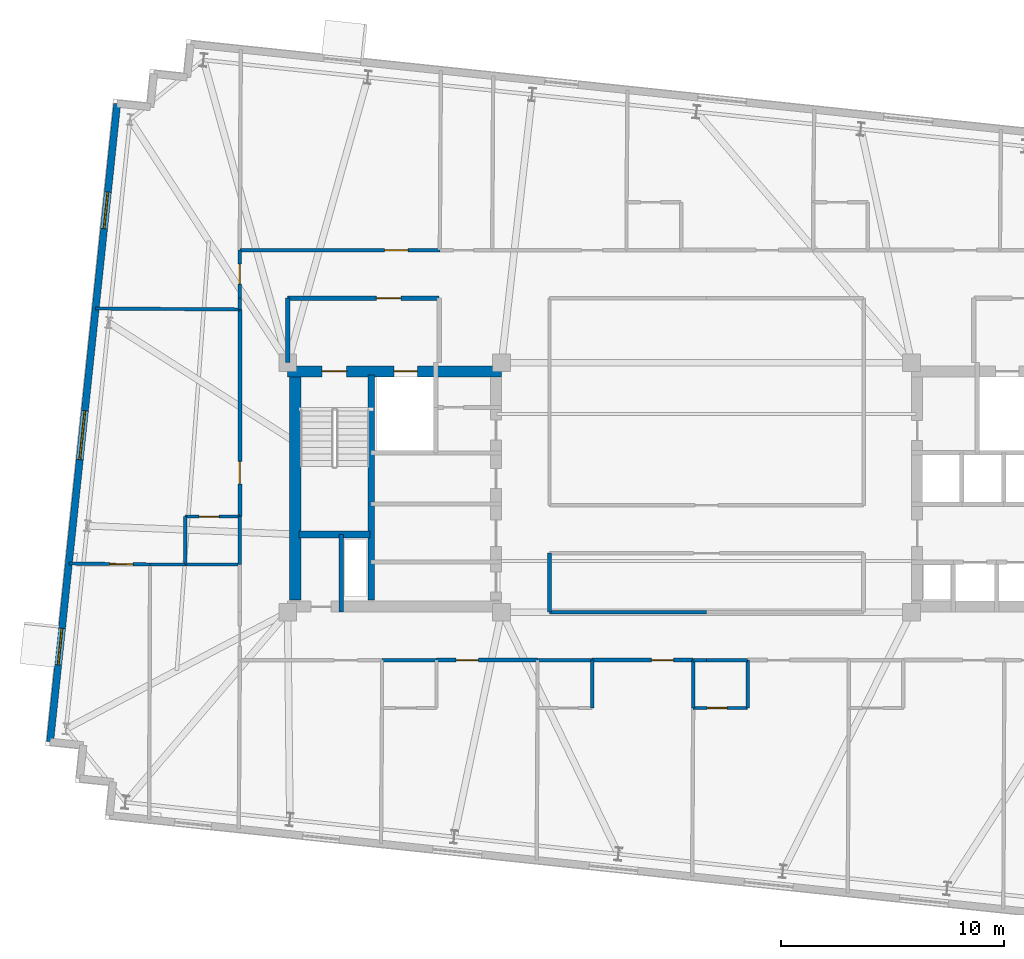
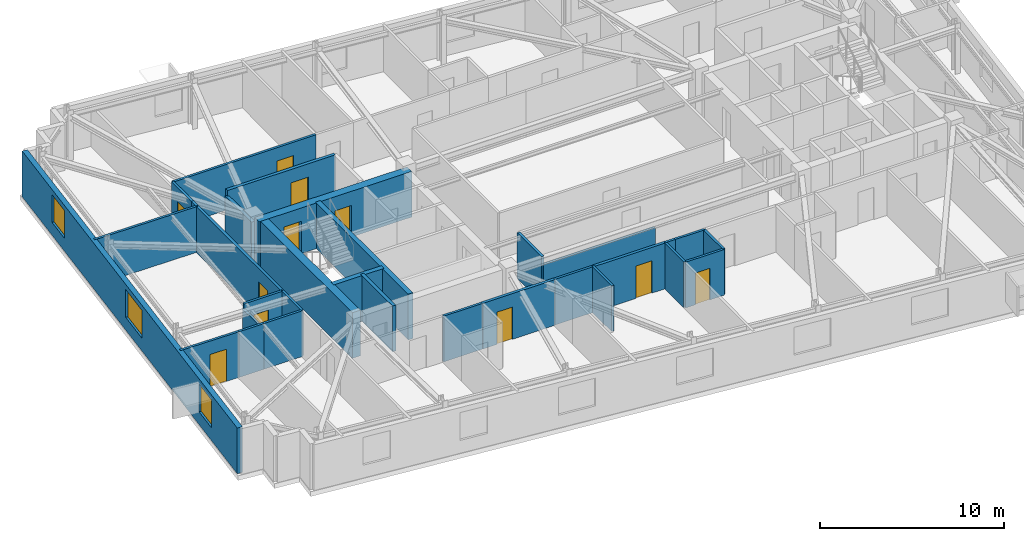
# One storey, part 6 of 11: 31 walls, 11 doors, 3 windows, 14 openings.
"""IFC4 building model written with IfcOpenShell, lengths in metres."""

from ifc_helpers import new_model, si_unit, direction, frame, frame_2d, origin, place, context, subcontext, project, spatial, rectangle, extrude, material, layer, layer_set, type_object, element, fill, save


model = new_model("IFC4")

# Units and contexts
model_context = context("Model", 3, precision=1e-05, world=origin(), true_north=direction((0.0, 1.0)))
body_context = subcontext(model_context, "Body", "Model", "MODEL_VIEW")
ifc_project = project(units=[si_unit("LENGTHUNIT", "METRE"), si_unit("AREAUNIT", "SQUARE_METRE"), si_unit("VOLUMEUNIT", "CUBIC_METRE"), si_unit("PLANEANGLEUNIT", "RADIAN"), si_unit("MASSUNIT", "GRAM", prefix="KILO")], contexts=[model_context])

# Site, building, storey
site_placement = place(None, origin())
site = spatial("IfcSite", under=ifc_project, at=site_placement, CompositionType="ELEMENT")
building_placement = place(site_placement, origin())
building = spatial("IfcBuilding", under=site, at=building_placement, Name="Qobustan Lattice House", CompositionType="ELEMENT")
storey_placement = place(building_placement, frame((0.0, 0.0, 206.449951171875)))
storey = spatial("IfcBuildingStorey", under=building, at=storey_placement, Name="L58", CompositionType="ELEMENT", Elevation=206.449951171875)

# Wall, openings, doors
ifc_material_1 = material(Name="Concrete C50/60", Category="concrete")
ifc_layer_1 = layer(ifc_material_1, 0.5)
ifc_layer_set_1 = layer_set([ifc_layer_1], Name="Concrete C50/60")
wall_type_1 = type_object("IfcWallType", Name="WAL-CORE-500", PredefinedType="SHEAR", material=ifc_layer_set_1)
wall_1_placement = place(storey_placement, frame((-18.800048828125, 5.2099609375, 0.0), z_axis=(0.0, 0.0, 1.0), x_axis=(1.0, 0.0, 0.0)))
wall_1 = element("IfcWall", 1, at=wall_1_placement, inside=storey, type_object=wall_type_1, Name="L58 split-core shear wall CW-N", PredefinedType="SHEAR", context=body_context, shape_type="SweptSolid", body=[
    extrude(rectangle(XDim=9.60009765625, YDim=0.5, at=frame_2d((4.800048828125, 0.0))), origin(), (0.0, 0.0, 1.0), 3.0400390625),
])
opening_1_placement = place(wall_1_placement, frame((1.550048828125, 0.0, 0.0)))
opening_1 = element("IfcOpeningElement", 2, at=opening_1_placement, cuts=wall_1, Name="Opening SD-01", PredefinedType="OPENING", context=body_context, shape_type="SweptSolid", body=[
    extrude(rectangle(XDim=1.10009765625, YDim=2.14990234375, at=frame_2d((0.550048828125, 1.074951171875))), frame((0.0, 0.260009765625, 0.0), z_axis=(0.0, -1.0, 0.0), x_axis=(1.0, 0.0, 0.0)), (0.0, 0.0, 1.0), 0.52001953125),
])
opening_2_placement = place(wall_1_placement, frame((4.77490234375, 0.0, 0.0)))
opening_2 = element("IfcOpeningElement", 3, at=opening_2_placement, cuts=wall_1, Name="Opening LD-01", PredefinedType="OPENING", context=body_context, shape_type="SweptSolid", body=[
    extrude(rectangle(XDim=1.050048828125, YDim=2.10009765625, at=frame_2d((0.52490234375, 1.050048828125))), frame((0.0, 0.260009765625, 0.0), z_axis=(0.0, -1.0, 0.0), x_axis=(1.0, 0.0, 0.0)), (0.0, 0.0, 1.0), 0.52001953125),
])
ifc_material_2 = material(Name="Persian walnut timber and steel frame door", Category="steel")
door_type_1 = type_object("IfcDoorType", Name="DOR-LIFT-LD-1050x2100", OperationType="NOTDEFINED", PredefinedType="DOOR", material=ifc_material_2)
door_1_placement = place(opening_2_placement, origin())
door_1 = element("IfcDoor", 4, at=door_1_placement, inside=storey, type_object=door_type_1, Name="L58 firefighting lift FF-W landing door", OperationType="DOUBLE_DOOR_SLIDING", OverallHeight=2.10009765625, OverallWidth=1.050048828125, PredefinedType="DOOR", context=body_context, shape_type="SweptSolid", body=[
    extrude(rectangle(XDim=1.050048828125, YDim=2.10009765625, at=frame_2d((0.52490234375, 1.050048828125))), frame((0.0, 0.02490234375, 0.0), z_axis=(0.0, -1.0, 0.0), x_axis=(1.0, 0.0, 0.0)), (0.0, 0.0, 1.0), 0.050048828125),
])
fill(opening_2, door_1)
ifc_material_3 = material(Name="Persian walnut timber and steel frame door", Category="steel")
door_type_2 = type_object("IfcDoorType", Name="DOR-STAIR-FD-1100x2150", OperationType="NOTDEFINED", PredefinedType="DOOR", material=ifc_material_3)
door_2_placement = place(opening_1_placement, origin())
door_2 = element("IfcDoor", 5, at=door_2_placement, inside=storey, type_object=door_type_2, Name="L58 exit stair ST-W1 fire door", OperationType="SINGLE_SWING_RIGHT", OverallHeight=2.14990234375, OverallWidth=1.10009765625, PredefinedType="DOOR", context=body_context, shape_type="SweptSolid", body=[
    extrude(rectangle(XDim=1.10009765625, YDim=2.14990234375, at=frame_2d((0.550048828125, 1.074951171875))), frame((0.0, 0.02490234375, 0.0), z_axis=(0.0, -1.0, 0.0), x_axis=(1.0, 0.0, 0.0)), (0.0, 0.0, 1.0), 0.050048828125),
])
fill(opening_1, door_2)

# Walls
wall_2_placement = place(storey_placement, frame((-18.4599609375, -5.050048828125, 0.0), z_axis=(0.0, 0.0, 1.0), x_axis=(0.0, 1.0, 0.0)))
element("IfcWall", 6, at=wall_2_placement, inside=storey, type_object=wall_type_1, Name="L58 split-core shear wall CW-W", PredefinedType="SHEAR", context=body_context, shape_type="SweptSolid", body=[
    extrude(rectangle(XDim=10.10009765625, YDim=0.5, at=frame_2d((5.050048828125, 0.0))), origin(), (0.0, 0.0, 1.0), 3.0400390625),
])
ifc_material_4 = material(Name="Concrete C50/60", Category="concrete")
ifc_layer_2 = layer(ifc_material_4, 0.280029296875)
ifc_layer_set_2 = layer_set([ifc_layer_2], Name="Concrete C50/60")
wall_type_2 = type_object("IfcWallType", Name="WAL-CORE-SPINE-280", PredefinedType="SHEAR", material=ifc_layer_set_2)
wall_3_placement = place(storey_placement, frame((-15.050048828125, -5.050048828125, 0.0), z_axis=(0.0, 0.0, 1.0), x_axis=(0.0, 1.0, 0.0)))
element("IfcWall", 7, at=wall_3_placement, inside=storey, type_object=wall_type_2, Name="L58 split-core shear wall CW-M", PredefinedType="SHEAR", context=body_context, shape_type="SweptSolid", body=[
    extrude(rectangle(XDim=10.10009765625, YDim=0.300048828125, at=frame_2d((5.050048828125, 0.0))), origin(), (0.0, 0.0, 1.0), 3.0400390625),
])
wall_4_placement = place(storey_placement, frame((-18.280029296875, -2.110107421875, 0.0), z_axis=(0.0, 0.0, 1.0), x_axis=(1.0, 0.0, 0.0)))
element("IfcWall", 8, at=wall_4_placement, inside=storey, type_object=wall_type_2, Name="L58 split-core shear wall CW-ST", PredefinedType="SHEAR", context=body_context, shape_type="SweptSolid", body=[
    extrude(rectangle(XDim=3.179931640625, YDim=0.300048828125, at=frame_2d((1.58984375, 0.0))), origin(), (0.0, 0.0, 1.0), 3.0400390625),
])

# Wall, openings, windows
ifc_material_5 = material(Name="Precast concrete C40/50", Category="concrete")
ifc_layer_3 = layer(ifc_material_5, 0.320068359375)
ifc_layer_set_3 = layer_set([ifc_layer_3], Name="Precast concrete C40/50")
wall_type_3 = type_object("IfcWallType", Name="WAL-EXT-STONE-320", PredefinedType="SOLIDWALL", material=ifc_layer_set_3)
wall_5_placement = place(storey_placement, frame((-29.46337890625, -11.413818359375, 0.0), z_axis=(0.0, 0.0, 1.0), x_axis=(0.104530779244, 0.994521651947, 0.0)))
wall_5 = element("IfcWall", 9, at=wall_5_placement, inside=storey, type_object=wall_type_3, Name="L58 exterior limestone-clad wall 5", PredefinedType="SOLIDWALL", context=body_context, shape_type="SweptSolid", body=[
    extrude(rectangle(XDim=28.800048828125, YDim=0.320068359375, at=frame_2d((14.39990234375, 0.0))), origin(), (0.0, 0.0, 1.0), 3.0400390625),
])
opening_3_placement = place(wall_5_placement, frame((3.466796875, 0.0, 0.85009765625)))
opening_3 = element("IfcOpeningElement", 10, at=opening_3_placement, cuts=wall_5, Name="Opening WN-09", PredefinedType="OPENING", context=body_context, shape_type="SweptSolid", body=[
    extrude(rectangle(XDim=1.64990234375, YDim=1.85009765625, at=frame_2d((0.824951171875, 0.925048828125))), frame((0.0, 0.169921875, 0.0), z_axis=(0.0, -1.0, 0.0), x_axis=(1.0, 0.0, 0.0)), (0.0, 0.0, 1.0), 0.340087890625),
])
opening_4_placement = place(wall_5_placement, frame((12.73828125, 0.0, 0.85009765625)))
opening_4 = element("IfcOpeningElement", 11, at=opening_4_placement, cuts=wall_5, Name="Opening WN-03", PredefinedType="OPENING", context=body_context, shape_type="SweptSolid", body=[
    extrude(rectangle(XDim=2.199951171875, YDim=1.85009765625, at=frame_2d((1.10009765625, 0.925048828125))), frame((0.0, 0.169921875, 0.0), z_axis=(0.0, -1.0, 0.0), x_axis=(1.0, 0.0, 0.0)), (0.0, 0.0, 1.0), 0.340087890625),
])
opening_5_placement = place(wall_5_placement, frame((23.16162109375, 0.0, 0.85009765625)))
opening_5 = element("IfcOpeningElement", 12, at=opening_5_placement, cuts=wall_5, Name="Opening WN-09", PredefinedType="OPENING", context=body_context, shape_type="SweptSolid", body=[
    extrude(rectangle(XDim=1.64990234375, YDim=1.85009765625, at=frame_2d((0.824951171875, 0.925048828125))), frame((0.0, 0.169921875, 0.0), z_axis=(0.0, -1.0, 0.0), x_axis=(1.0, 0.0, 0.0)), (0.0, 0.0, 1.0), 0.340087890625),
])
ifc_material_6 = material(Name="Double-glazed low-E aluminium window", Category="aluminium")
window_type_1 = type_object("IfcWindowType", Name="WIN-STU-1650x1850", PartitioningType="SINGLE_PANEL", PredefinedType="WINDOW", material=ifc_material_6)
window_1_placement = place(opening_3_placement, origin())
window_1 = element("IfcWindow", 13, at=window_1_placement, inside=storey, type_object=window_type_1, Name="L58 Focus study room W1A window", OverallHeight=1.85009765625, OverallWidth=1.64990234375, PartitioningType="SINGLE_PANEL", PredefinedType="WINDOW", context=body_context, shape_type="SweptSolid", body=[
    extrude(rectangle(XDim=1.64990234375, YDim=1.85009765625, at=frame_2d((0.824951171875, 0.925048828125))), frame((0.0, 0.030029296875, 0.0), z_axis=(0.0, -1.0, 0.0), x_axis=(1.0, 0.0, 0.0)), (0.0, 0.0, 1.0), 0.06005859375),
])
fill(opening_3, window_1)
window_2_placement = place(opening_5_placement, origin())
window_2 = element("IfcWindow", 14, at=window_2_placement, inside=storey, type_object=window_type_1, Name="L58 Focus study room W3 window", OverallHeight=1.85009765625, OverallWidth=1.64990234375, PartitioningType="SINGLE_PANEL", PredefinedType="WINDOW", context=body_context, shape_type="SweptSolid", body=[
    extrude(rectangle(XDim=1.64990234375, YDim=1.85009765625, at=frame_2d((0.824951171875, 0.925048828125))), frame((0.0, 0.030029296875, 0.0), z_axis=(0.0, -1.0, 0.0), x_axis=(1.0, 0.0, 0.0)), (0.0, 0.0, 1.0), 0.06005859375),
])
fill(opening_5, window_2)
ifc_material_7 = material(Name="Double-glazed low-E aluminium window", Category="aluminium")
window_type_2 = type_object("IfcWindowType", Name="WIN-WIDE-2200x1850", PartitioningType="SINGLE_PANEL", PredefinedType="WINDOW", material=ifc_material_7)
window_3_placement = place(opening_4_placement, origin())
window_3 = element("IfcWindow", 15, at=window_3_placement, inside=storey, type_object=window_type_2, Name="L58 Kitchenette and studio apartment L58-W2 window", OverallHeight=1.85009765625, OverallWidth=2.199951171875, PartitioningType="SINGLE_PANEL", PredefinedType="WINDOW", context=body_context, shape_type="SweptSolid", body=[
    extrude(rectangle(XDim=2.199951171875, YDim=1.85009765625, at=frame_2d((1.10009765625, 0.925048828125))), frame((0.0, 0.030029296875, 0.0), z_axis=(0.0, -1.0, 0.0), x_axis=(1.0, 0.0, 0.0)), (0.0, 0.0, 1.0), 0.06005859375),
])
fill(opening_4, window_3)

# Wall, opening, door
ifc_material_8 = material(Name="Gypsum fireboard acoustic partition", Category="gypsum")
ifc_layer_4 = layer(ifc_material_8, 0.179931640625)
ifc_layer_set_4 = layer_set([ifc_layer_4], Name="Gypsum fireboard acoustic partition")
wall_type_4 = type_object("IfcWallType", Name="WAL-FIRE-180", PredefinedType="PARTITIONING", material=ifc_layer_set_4)
wall_6_placement = place(storey_placement, frame((-7.5830078125, -7.75, 0.0), z_axis=(0.0, 0.0, 1.0), x_axis=(-1.0, 0.0, 0.0)))
wall_6 = element("IfcWall", 16, at=wall_6_placement, inside=storey, type_object=wall_type_4, Name="L58 interior partition 47", PredefinedType="PARTITIONING", context=body_context, shape_type="SweptSolid", body=[
    extrude(rectangle(XDim=4.533935546875, YDim=0.179931640625, at=frame_2d((2.26708984375, 0.0))), origin(), (0.0, 0.0, 1.0), 3.0400390625),
])
opening_6_placement = place(wall_6_placement, frame((2.6572265625, 0.0, 0.0)))
opening_6 = element("IfcOpeningElement", 17, at=opening_6_placement, cuts=wall_6, Name="Opening FD-02", PredefinedType="OPENING", context=body_context, shape_type="SweptSolid", body=[
    extrude(rectangle(XDim=1.0, YDim=2.14990234375, at=frame_2d((0.5, 1.074951171875))), frame((0.0, 0.099853515625, 0.0), z_axis=(0.0, -1.0, 0.0), x_axis=(1.0, 0.0, 0.0)), (0.0, 0.0, 1.0), 0.199951171875),
])
ifc_material_9 = material(Name="Persian walnut timber and steel frame door", Category="steel")
door_type_3 = type_object("IfcDoorType", Name="DOR-UNIT-FD-1000x2150", OperationType="NOTDEFINED", PredefinedType="DOOR", material=ifc_material_9)
door_3_placement = place(opening_6_placement, origin())
door_3 = element("IfcDoor", 18, at=door_3_placement, inside=storey, type_object=door_type_3, Name="L58 South-west floor corridor to Kitchenette and studio apartment L58-S2 door", OperationType="SINGLE_SWING_RIGHT", OverallHeight=2.14990234375, OverallWidth=1.0, PredefinedType="DOOR", context=body_context, shape_type="SweptSolid", body=[
    extrude(rectangle(XDim=1.0, YDim=2.14990234375, at=frame_2d((0.5, 1.074951171875))), frame((0.0, 0.02490234375, 0.0), z_axis=(0.0, -1.0, 0.0), x_axis=(1.0, 0.0, 0.0)), (0.0, 0.0, 1.0), 0.050048828125),
])
fill(opening_6, door_3)

wall_7_placement = place(storey_placement, frame((-0.60009765625, -7.75, 0.0), z_axis=(0.0, 0.0, 1.0), x_axis=(-1.0, 0.0, 0.0)))
wall_7 = element("IfcWall", 19, at=wall_7_placement, inside=storey, type_object=wall_type_4, Name="L58 interior partition 49", PredefinedType="PARTITIONING", context=body_context, shape_type="SweptSolid", body=[
    extrude(rectangle(XDim=4.532958984375, YDim=0.179931640625, at=frame_2d((2.2666015625, 0.0))), origin(), (0.0, 0.0, 1.0), 3.0400390625),
])
opening_7_placement = place(wall_7_placement, frame((0.876708984375, 0.0, 0.0)))
opening_7 = element("IfcOpeningElement", 20, at=opening_7_placement, cuts=wall_7, Name="Opening FD-02", PredefinedType="OPENING", context=body_context, shape_type="SweptSolid", body=[
    extrude(rectangle(XDim=1.0, YDim=2.14990234375, at=frame_2d((0.5, 1.074951171875))), frame((0.0, 0.099853515625, 0.0), z_axis=(0.0, -1.0, 0.0), x_axis=(1.0, 0.0, 0.0)), (0.0, 0.0, 1.0), 0.199951171875),
])
door_4_placement = place(opening_7_placement, origin())
door_4 = element("IfcDoor", 21, at=door_4_placement, inside=storey, type_object=door_type_3, Name="L58 South-west floor corridor to Kitchenette and studio apartment L58-S3 door", OperationType="SINGLE_SWING_LEFT", OverallHeight=2.14990234375, OverallWidth=1.0, PredefinedType="DOOR", context=body_context, shape_type="SweptSolid", body=[
    extrude(rectangle(XDim=1.0, YDim=2.14990234375, at=frame_2d((0.5, 1.074951171875))), frame((0.0, 0.02490234375, 0.0), z_axis=(0.0, -1.0, 0.0), x_axis=(1.0, 0.0, 0.0)), (0.0, 0.0, 1.0), 0.050048828125),
])
fill(opening_7, door_4)

wall_8_placement = place(storey_placement, frame((-20.949951171875, -1.305908203125, 0.0), z_axis=(0.0, 0.0, 1.0), x_axis=(0.0, 1.0, 0.0)))
wall_8 = element("IfcWall", 22, at=wall_8_placement, inside=storey, type_object=wall_type_4, Name="L58 interior partition 62", PredefinedType="PARTITIONING", context=body_context, shape_type="SweptSolid", body=[
    extrude(rectangle(XDim=9.2958984375, YDim=0.179931640625, at=frame_2d((4.64794921875, 0.0))), origin(), (0.0, 0.0, 1.0), 3.0400390625),
])
opening_8_placement = place(wall_8_placement, frame((1.471923828125, 0.0, 0.0)))
opening_8 = element("IfcOpeningElement", 23, at=opening_8_placement, cuts=wall_8, Name="Opening FD-02", PredefinedType="OPENING", context=body_context, shape_type="SweptSolid", body=[
    extrude(rectangle(XDim=1.0, YDim=2.14990234375, at=frame_2d((0.5, 1.074951171875))), frame((0.0, 0.099853515625, 0.0), z_axis=(0.0, -1.0, 0.0), x_axis=(1.0, 0.0, 0.0)), (0.0, 0.0, 1.0), 0.199951171875),
])
door_5_placement = place(opening_8_placement, origin())
door_5 = element("IfcDoor", 24, at=door_5_placement, inside=storey, type_object=door_type_3, Name="L58 West wing spine gallery to Kitchenette and studio apartment L58-W2 door", OperationType="SINGLE_SWING_LEFT", OverallHeight=2.14990234375, OverallWidth=1.0, PredefinedType="DOOR", context=body_context, shape_type="SweptSolid", body=[
    extrude(rectangle(XDim=1.0, YDim=2.14990234375, at=frame_2d((0.5, 1.074951171875))), frame((0.0, 0.02490234375, 0.0), z_axis=(0.0, -1.0, 0.0), x_axis=(1.0, 0.0, 0.0)), (0.0, 0.0, 1.0), 0.050048828125),
])
fill(opening_8, door_5)

ifc_material_10 = material(Name="Acoustic twin-stud gypsum partition", Category="gypsum")
ifc_layer_5 = layer(ifc_material_10, 0.14990234375)
ifc_layer_set_5 = layer_set([ifc_layer_5], Name="Acoustic twin-stud gypsum partition")
wall_type_5 = type_object("IfcWallType", Name="WAL-PART-150", PredefinedType="PARTITIONING", material=ifc_layer_set_5)
wall_9_placement = place(storey_placement, frame((-20.949951171875, 8.5, 0.0), z_axis=(0.0, 0.0, 1.0), x_axis=(0.0, 1.0, 0.0)))
wall_9 = element("IfcWall", 25, at=wall_9_placement, inside=storey, type_object=wall_type_5, Name="L58 interior partition 32", PredefinedType="PARTITIONING", context=body_context, shape_type="SweptSolid", body=[
    extrude(rectangle(XDim=2.14990234375, YDim=0.14990234375, at=frame_2d((1.074951171875, 0.0))), origin(), (0.0, 0.0, 1.0), 3.0400390625),
])
opening_9_placement = place(wall_9_placement, frame((0.625, 0.0, 0.0)))
opening_9 = element("IfcOpeningElement", 26, at=opening_9_placement, cuts=wall_9, Name="Opening WD-01", PredefinedType="OPENING", context=body_context, shape_type="SweptSolid", body=[
    extrude(rectangle(XDim=0.89990234375, YDim=2.10009765625, at=frame_2d((0.449951171875, 1.050048828125))), frame((0.0, 0.0849609375, 0.0), z_axis=(0.0, -1.0, 0.0), x_axis=(1.0, 0.0, 0.0)), (0.0, 0.0, 1.0), 0.169921875),
])
ifc_material_11 = material(Name="Persian walnut timber and steel frame door", Category="steel")
door_type_4 = type_object("IfcDoorType", Name="DOR-WET-900x2100", OperationType="NOTDEFINED", PredefinedType="DOOR", material=ifc_material_11)
door_6_placement = place(opening_9_placement, origin())
door_6 = element("IfcDoor", 27, at=door_6_placement, inside=storey, type_object=door_type_4, Name="L58 North-west floor corridor to Focus study room W3 door", OperationType="SINGLE_SWING_LEFT", OverallHeight=2.10009765625, OverallWidth=0.89990234375, PredefinedType="DOOR", context=body_context, shape_type="SweptSolid", body=[
    extrude(rectangle(XDim=0.89990234375, YDim=2.10009765625, at=frame_2d((0.449951171875, 1.050048828125))), frame((0.0, 0.02490234375, 0.0), z_axis=(0.0, -1.0, 0.0), x_axis=(1.0, 0.0, 0.0)), (0.0, 0.0, 1.0), 0.050048828125),
])
fill(opening_9, door_6)

wall_10_placement = place(storey_placement, frame((-20.949951171875, 10.64990234375, 0.0), z_axis=(0.0, 0.0, 1.0), x_axis=(1.0, 0.0, 0.0)))
wall_10 = element("IfcWall", 28, at=wall_10_placement, inside=storey, type_object=wall_type_5, Name="L58 interior partition 33", PredefinedType="PARTITIONING", context=body_context, shape_type="SweptSolid", body=[
    extrude(rectangle(XDim=8.97998046875, YDim=0.14990234375, at=frame_2d((4.489990234375, 0.0))), origin(), (0.0, 0.0, 1.0), 3.0400390625),
])
opening_10_placement = place(wall_10_placement, frame((6.503662109375, 0.0, 0.0)))
opening_10 = element("IfcOpeningElement", 29, at=opening_10_placement, cuts=wall_10, Name="Opening ID-02", PredefinedType="OPENING", context=body_context, shape_type="SweptSolid", body=[
    extrude(rectangle(XDim=1.050048828125, YDim=2.14990234375, at=frame_2d((0.52490234375, 1.074951171875))), frame((0.0, 0.0849609375, 0.0), z_axis=(0.0, -1.0, 0.0), x_axis=(1.0, 0.0, 0.0)), (0.0, 0.0, 1.0), 0.169921875),
])
ifc_material_12 = material(Name="Persian walnut timber and steel frame door", Category="steel")
door_type_5 = type_object("IfcDoorType", Name="DOR-STUDY-1050x2150", OperationType="NOTDEFINED", PredefinedType="DOOR", material=ifc_material_12)
door_7_placement = place(opening_10_placement, origin())
door_7 = element("IfcDoor", 30, at=door_7_placement, inside=storey, type_object=door_type_5, Name="L58 North-west floor corridor to Focus study room N1 door", OperationType="SINGLE_SWING_RIGHT", OverallHeight=2.14990234375, OverallWidth=1.050048828125, PredefinedType="DOOR", context=body_context, shape_type="SweptSolid", body=[
    extrude(rectangle(XDim=1.050048828125, YDim=2.14990234375, at=frame_2d((0.52490234375, 1.074951171875))), frame((0.0, 0.02490234375, 0.0), z_axis=(0.0, -1.0, 0.0), x_axis=(1.0, 0.0, 0.0)), (0.0, 0.0, 1.0), 0.050048828125),
])
fill(opening_10, door_7)

# Wall
wall_11_placement = place(storey_placement, frame((-20.949951171875, 7.989990234375, 0.0), z_axis=(0.0, 0.0, 1.0), x_axis=(0.0, 1.0, 0.0)))
element("IfcWall", 31, at=wall_11_placement, inside=storey, type_object=wall_type_5, Name="L58 interior partition 64", PredefinedType="PARTITIONING", context=body_context, shape_type="SweptSolid", body=[
    extrude(rectangle(XDim=0.510009765625, YDim=0.14990234375, at=frame_2d((0.2548828125, 0.0))), origin(), (0.0, 0.0, 1.0), 3.0400390625),
])

# Wall, opening, door
wall_12_placement = place(storey_placement, frame((-28.622314453125, -3.412109375, 0.0), z_axis=(0.0, 0.0, 1.0), x_axis=(0.999927389555, -0.01205054433, 0.0)))
wall_12 = element("IfcWall", 32, at=wall_12_placement, inside=storey, type_object=wall_type_5, Name="L58 interior partition 74", PredefinedType="PARTITIONING", context=body_context, shape_type="SweptSolid", body=[
    extrude(rectangle(XDim=3.646728515625, YDim=0.14990234375, at=frame_2d((1.8232421875, 0.0))), origin(), (0.0, 0.0, 1.0), 3.0400390625),
])
opening_11_placement = place(wall_12_placement, frame((1.837158203125, 0.0, 0.0)))
opening_11 = element("IfcOpeningElement", 33, at=opening_11_placement, cuts=wall_12, Name="Opening ID-02", PredefinedType="OPENING", context=body_context, shape_type="SweptSolid", body=[
    extrude(rectangle(XDim=1.050048828125, YDim=2.14990234375, at=frame_2d((0.52490234375, 1.074951171875))), frame((0.0, 0.0849609375, 0.0), z_axis=(0.0, -1.0, 0.0), x_axis=(1.0, 0.0, 0.0)), (0.0, 0.0, 1.0), 0.169921875),
])
door_8_placement = place(opening_11_placement, origin())
door_8 = element("IfcDoor", 34, at=door_8_placement, inside=storey, type_object=door_type_5, Name="L58 Focus study room W1A to Kitchenette and studio apartment L58-W2 door", OperationType="SINGLE_SWING_RIGHT", OverallHeight=2.14990234375, OverallWidth=1.050048828125, PredefinedType="DOOR", context=body_context, shape_type="SweptSolid", body=[
    extrude(rectangle(XDim=1.050048828125, YDim=2.14990234375, at=frame_2d((0.52490234375, 1.074951171875))), frame((0.0, 0.02490234375, 0.0), z_axis=(0.0, -1.0, 0.0), x_axis=(1.0, 0.0, 0.0)), (0.0, 0.0, 1.0), 0.050048828125),
])
fill(opening_11, door_8)

# Walls
wall_13_placement = place(storey_placement, frame((-24.975830078125, -3.4560546875, 0.0), z_axis=(0.0, 0.0, 1.0), x_axis=(1.0, 0.0, 0.0)))
element("IfcWall", 35, at=wall_13_placement, inside=storey, type_object=wall_type_5, Name="L58 interior partition 75", PredefinedType="PARTITIONING", context=body_context, shape_type="SweptSolid", body=[
    extrude(rectangle(XDim=1.575927734375, YDim=0.14990234375, at=frame_2d((0.7880859375, 0.0))), origin(), (0.0, 0.0, 1.0), 3.0400390625),
])
wall_14_placement = place(storey_placement, frame((-27.419189453125, 8.033935546875, 0.0), z_axis=(0.0, 0.0, 1.0), x_axis=(0.999976928608, -0.006792808784, 0.0)))
element("IfcWall", 36, at=wall_14_placement, inside=storey, type_object=wall_type_5, Name="L58 interior partition 80", PredefinedType="PARTITIONING", context=body_context, shape_type="SweptSolid", body=[
    extrude(rectangle(XDim=6.469482421875, YDim=0.14990234375, at=frame_2d((3.23486328125, 0.0))), origin(), (0.0, 0.0, 1.0), 3.0400390625),
])
ifc_material_13 = material(Name="High-mass acoustic twin-stud partition", Category="gypsum")
ifc_layer_6 = layer(ifc_material_13, 0.1650390625)
ifc_layer_set_6 = layer_set([ifc_layer_6], Name="High-mass acoustic twin-stud partition")
wall_type_6 = type_object("IfcWallType", Name="WAL-PART-165", PredefinedType="PARTITIONING", material=ifc_layer_set_6)
wall_15_placement = place(storey_placement, frame((-7.050048828125, -5.60009765625, 0.0), z_axis=(0.0, 0.0, 1.0), x_axis=(1.0, 0.0, 0.0)))
element("IfcWall", 37, at=wall_15_placement, inside=storey, type_object=wall_type_6, Name="L58 interior partition 52", PredefinedType="PARTITIONING", context=body_context, shape_type="SweptSolid", body=[
    extrude(rectangle(XDim=7.050048828125, YDim=0.1650390625, at=frame_2d((3.52490234375, 0.0))), origin(), (0.0, 0.0, 1.0), 2.525146484375),
])
wall_16_placement = place(storey_placement, frame((-7.050048828125, -2.949951171875, 0.0), z_axis=(0.0, 0.0, 1.0), x_axis=(0.0, -1.0, 0.0)))
element("IfcWall", 38, at=wall_16_placement, inside=storey, type_object=wall_type_6, Name="L58 interior partition 70", PredefinedType="PARTITIONING", context=body_context, shape_type="SweptSolid", body=[
    extrude(rectangle(XDim=2.650146484375, YDim=0.1650390625, at=frame_2d((1.3251953125, 0.0))), origin(), (0.0, 0.0, 1.0), 3.0400390625),
])

# Wall, opening, door
ifc_material_14 = material(Name="Two-hour gypsum fireboard acoustic partition", Category="gypsum")
ifc_layer_7 = layer(ifc_material_14, 0.199951171875)
ifc_layer_set_7 = layer_set([ifc_layer_7], Name="Two-hour gypsum fireboard acoustic partition")
wall_type_7 = type_object("IfcWallType", Name="WAL-PROT-200", PredefinedType="PARTITIONING", material=ifc_layer_set_7)
wall_17_placement = place(storey_placement, frame((-12.0, 8.5, 0.0), z_axis=(0.0, 0.0, 1.0), x_axis=(-1.0, 0.0, 0.0)))
wall_17 = element("IfcWall", 39, at=wall_17_placement, inside=storey, type_object=wall_type_7, Name="L58 interior partition 4", PredefinedType="PARTITIONING", context=body_context, shape_type="SweptSolid", body=[
    extrude(rectangle(XDim=6.800048828125, YDim=0.199951171875, at=frame_2d((3.39990234375, 0.0))), origin(), (0.0, 0.0, 1.0), 3.0400390625),
])
opening_12_placement = place(wall_17_placement, frame((1.715087890625, 0.0, 0.0)))
opening_12 = element("IfcOpeningElement", 40, at=opening_12_placement, cuts=wall_17, Name="Opening SD-01", PredefinedType="OPENING", context=body_context, shape_type="SweptSolid", body=[
    extrude(rectangle(XDim=1.10009765625, YDim=2.14990234375, at=frame_2d((0.550048828125, 1.074951171875))), frame((0.0, 0.10986328125, 0.0), z_axis=(0.0, -1.0, 0.0), x_axis=(1.0, 0.0, 0.0)), (0.0, 0.0, 1.0), 0.219970703125),
])
door_9_placement = place(opening_12_placement, origin())
door_9 = element("IfcDoor", 41, at=door_9_placement, inside=storey, type_object=door_type_2, Name="L58 West firefighting lift lobby to North-west floor corridor door", OperationType="SINGLE_SWING_RIGHT", OverallHeight=2.14990234375, OverallWidth=1.10009765625, PredefinedType="DOOR", context=body_context, shape_type="SweptSolid", body=[
    extrude(rectangle(XDim=1.10009765625, YDim=2.14990234375, at=frame_2d((0.550048828125, 1.074951171875))), frame((0.0, 0.02490234375, 0.0), z_axis=(0.0, -1.0, 0.0), x_axis=(1.0, 0.0, 0.0)), (0.0, 0.0, 1.0), 0.050048828125),
])
fill(opening_12, door_9)

# Walls
wall_18_placement = place(storey_placement, frame((-18.800048828125, 8.5, 0.0), z_axis=(0.0, 0.0, 1.0), x_axis=(0.0, -1.0, 0.0)))
element("IfcWall", 42, at=wall_18_placement, inside=storey, type_object=wall_type_7, Name="L58 interior partition 5", PredefinedType="PARTITIONING", context=body_context, shape_type="SweptSolid", body=[
    extrude(rectangle(XDim=2.89990234375, YDim=0.199951171875, at=frame_2d((1.449951171875, 0.0))), origin(), (0.0, 0.0, 1.0), 2.6650390625),
])
ifc_material_15 = material(Name="Concrete C40/50", Category="concrete")
ifc_layer_8 = layer(ifc_material_15, 0.199951171875)
ifc_layer_set_8 = layer_set([ifc_layer_8], Name="Concrete C40/50")
wall_type_8 = type_object("IfcWallType", Name="WAL-SHAFT-200", PredefinedType="PARTITIONING", material=ifc_layer_set_8)
wall_19_placement = place(storey_placement, frame((-16.39990234375, -5.60009765625, 0.0), z_axis=(0.0, 0.0, 1.0), x_axis=(0.0, 1.0, 0.0)))
element("IfcWall", 43, at=wall_19_placement, inside=storey, type_object=wall_type_8, Name="L58 interior partition 1", PredefinedType="PARTITIONING", context=body_context, shape_type="SweptSolid", body=[
    extrude(rectangle(XDim=3.489990234375, YDim=0.199951171875, at=frame_2d((1.7451171875, 0.0))), origin(), (0.0, 0.0, 1.0), 3.0400390625),
])
ifc_material_16 = material(Name="Moisture-resistant acoustic plumbing wall", Category="gypsum")
ifc_layer_9 = layer(ifc_material_16, 0.14990234375)
ifc_layer_set_9 = layer_set([ifc_layer_9], Name="Moisture-resistant acoustic plumbing wall")
wall_type_9 = type_object("IfcWallType", Name="WAL-WET-150", PredefinedType="PLUMBINGWALL", material=ifc_layer_set_9)
for number, where, z_axis, x_axis, name in (
    (44, (-12.116943359375, -7.75, 0.0), (0.0, 0.0, 1.0), (-1.0, 0.0, 0.0), "L58 interior partition 48"),
    (45, (-5.133056640625, -7.75, 0.0), (0.0, 0.0, 1.0), (-1.0, 0.0, 0.0), "L58 interior partition 50"),
):
    element("IfcWall", number, at=place(storey_placement, frame(where, z_axis=z_axis, x_axis=x_axis)), inside=storey, type_object=wall_type_9, Name=name, PredefinedType="PLUMBINGWALL", context=body_context, shape_type="SweptSolid", body=[
        extrude(rectangle(XDim=2.449951171875, YDim=0.14990234375, at=frame_2d((1.22509765625, 0.0))), origin(), (0.0, 0.0, 1.0), 3.0400390625),
    ])
wall_20_placement = place(storey_placement, frame((0.0, -7.75, 0.0), z_axis=(0.0, 0.0, 1.0), x_axis=(-1.0, 0.0, 0.0)))
element("IfcWall", 46, at=wall_20_placement, inside=storey, type_object=wall_type_9, Name="L58 interior partition 51", PredefinedType="PLUMBINGWALL", context=body_context, shape_type="SweptSolid", body=[
    extrude(rectangle(XDim=0.60009765625, YDim=0.14990234375, at=frame_2d((0.300048828125, 0.0))), origin(), (0.0, 0.0, 1.0), 3.0400390625),
])
wall_21_placement = place(storey_placement, frame((1.85009765625, -7.75, 0.0), z_axis=(0.0, 0.0, 1.0), x_axis=(-1.0, 0.0, 0.0)))
element("IfcWall", 47, at=wall_21_placement, inside=storey, type_object=wall_type_9, Name="L58 interior partition 55", PredefinedType="PLUMBINGWALL", context=body_context, shape_type="SweptSolid", body=[
    extrude(rectangle(XDim=1.85009765625, YDim=0.14990234375, at=frame_2d((0.925048828125, 0.0))), origin(), (0.0, 0.0, 1.0), 3.0400390625),
])
wall_22_placement = place(storey_placement, frame((-20.949951171875, -3.4560546875, 0.0), z_axis=(0.0, 0.0, 1.0), x_axis=(0.0, 1.0, 0.0)))
element("IfcWall", 48, at=wall_22_placement, inside=storey, type_object=wall_type_9, Name="L58 interior partition 63", PredefinedType="PLUMBINGWALL", context=body_context, shape_type="SweptSolid", body=[
    extrude(rectangle(XDim=2.150146484375, YDim=0.14990234375, at=frame_2d((1.0751953125, 0.0))), origin(), (0.0, 0.0, 1.0), 3.0400390625),
])
wall_23_placement = place(storey_placement, frame((-23.39990234375, -3.4560546875, 0.0), z_axis=(0.0, 0.0, 1.0), x_axis=(1.0, 0.0, 0.0)))
element("IfcWall", 49, at=wall_23_placement, inside=storey, type_object=wall_type_9, Name="L58 interior partition 76", PredefinedType="PLUMBINGWALL", context=body_context, shape_type="SweptSolid", body=[
    extrude(rectangle(XDim=2.449951171875, YDim=0.14990234375, at=frame_2d((1.22509765625, 0.0))), origin(), (0.0, 0.0, 1.0), 3.0400390625),
])

# Wall, opening, door
wall_24_placement = place(storey_placement, frame((-20.949951171875, -1.305908203125, 0.0), z_axis=(0.0, 0.0, 1.0), x_axis=(-1.0, 0.0, 0.0)))
wall_24 = element("IfcWall", 50, at=wall_24_placement, inside=storey, type_object=wall_type_9, Name="L58 interior partition 78", PredefinedType="PLUMBINGWALL", context=body_context, shape_type="SweptSolid", body=[
    extrude(rectangle(XDim=2.449951171875, YDim=0.14990234375, at=frame_2d((1.22509765625, 0.0))), origin(), (0.0, 0.0, 1.0), 3.0400390625),
])
opening_13_placement = place(wall_24_placement, frame((0.921142578125, 0.0, 0.0)))
opening_13 = element("IfcOpeningElement", 51, at=opening_13_placement, cuts=wall_24, Name="Opening WD-01", PredefinedType="OPENING", context=body_context, shape_type="SweptSolid", body=[
    extrude(rectangle(XDim=0.89990234375, YDim=2.10009765625, at=frame_2d((0.449951171875, 1.050048828125))), frame((0.0, 0.0849609375, 0.0), z_axis=(0.0, -1.0, 0.0), x_axis=(1.0, 0.0, 0.0)), (0.0, 0.0, 1.0), 0.169921875),
])
door_10_placement = place(opening_13_placement, origin())
door_10 = element("IfcDoor", 52, at=door_10_placement, inside=storey, type_object=door_type_4, Name="L58 Kitchenette and studio apartment L58-W2 to En-suite bathroom L58-W2 door", OperationType="SINGLE_SWING_LEFT", OverallHeight=2.10009765625, OverallWidth=0.89990234375, PredefinedType="DOOR", context=body_context, shape_type="SweptSolid", body=[
    extrude(rectangle(XDim=0.89990234375, YDim=2.10009765625, at=frame_2d((0.449951171875, 1.050048828125))), frame((0.0, 0.02490234375, 0.0), z_axis=(0.0, -1.0, 0.0), x_axis=(1.0, 0.0, 0.0)), (0.0, 0.0, 1.0), 0.050048828125),
])
fill(opening_13, door_10)

# Walls
wall_25_placement = place(storey_placement, frame((-23.39990234375, -1.305908203125, 0.0), z_axis=(0.0, 0.0, 1.0), x_axis=(0.0, -1.0, 0.0)))
element("IfcWall", 53, at=wall_25_placement, inside=storey, type_object=wall_type_9, Name="L58 interior partition 79", PredefinedType="PLUMBINGWALL", context=body_context, shape_type="SweptSolid", body=[
    extrude(rectangle(XDim=2.150146484375, YDim=0.14990234375, at=frame_2d((1.0751953125, 0.0))), origin(), (0.0, 0.0, 1.0), 2.695068359375),
])
for number, where, z_axis, x_axis, name in (
    (54, (-5.133056640625, -9.89990234375, 0.0), (0.0, 0.0, 1.0), (0.0, 1.0, 0.0), "L58 interior partition 104"),
    (55, (-0.60009765625, -7.75, 0.0), (0.0, 0.0, 1.0), (0.0, -1.0, 0.0), "L58 interior partition 106"),
):
    element("IfcWall", number, at=place(storey_placement, frame(where, z_axis=z_axis, x_axis=x_axis)), inside=storey, type_object=wall_type_9, Name=name, PredefinedType="PLUMBINGWALL", context=body_context, shape_type="SweptSolid", body=[
        extrude(rectangle(XDim=2.14990234375, YDim=0.14990234375, at=frame_2d((1.074951171875, 0.0))), origin(), (0.0, 0.0, 1.0), 3.0400390625),
    ])

# Wall, opening, door
wall_26_placement = place(storey_placement, frame((-0.60009765625, -9.89990234375, 0.0), z_axis=(0.0, 0.0, 1.0), x_axis=(1.0, 0.0, 0.0)))
wall_26 = element("IfcWall", 56, at=wall_26_placement, inside=storey, type_object=wall_type_9, Name="L58 interior partition 107", PredefinedType="PLUMBINGWALL", context=body_context, shape_type="SweptSolid", body=[
    extrude(rectangle(XDim=2.4501953125, YDim=0.14990234375, at=frame_2d((1.22509765625, 0.0))), origin(), (0.0, 0.0, 1.0), 3.0400390625),
])
opening_14_placement = place(wall_26_placement, frame((0.62890625, 0.0, 0.0)))
opening_14 = element("IfcOpeningElement", 57, at=opening_14_placement, cuts=wall_26, Name="Opening WD-01", PredefinedType="OPENING", context=body_context, shape_type="SweptSolid", body=[
    extrude(rectangle(XDim=0.89990234375, YDim=2.10009765625, at=frame_2d((0.449951171875, 1.050048828125))), frame((0.0, 0.0849609375, 0.0), z_axis=(0.0, -1.0, 0.0), x_axis=(1.0, 0.0, 0.0)), (0.0, 0.0, 1.0), 0.169921875),
])
door_11_placement = place(opening_14_placement, origin())
door_11 = element("IfcDoor", 58, at=door_11_placement, inside=storey, type_object=door_type_4, Name="L58 Kitchenette and studio apartment L58-S4 to En-suite bathroom L58-S4 door", OperationType="SINGLE_SWING_RIGHT", OverallHeight=2.10009765625, OverallWidth=0.89990234375, PredefinedType="DOOR", context=body_context, shape_type="SweptSolid", body=[
    extrude(rectangle(XDim=0.89990234375, YDim=2.10009765625, at=frame_2d((0.449951171875, 1.050048828125))), frame((0.0, 0.02490234375, 0.0), z_axis=(0.0, -1.0, 0.0), x_axis=(1.0, 0.0, 0.0)), (0.0, 0.0, 1.0), 0.050048828125),
])
fill(opening_14, door_11)

# Wall
wall_27_placement = place(storey_placement, frame((1.85009765625, -9.89990234375, 0.0), z_axis=(0.0, 0.0, 1.0), x_axis=(0.0, 1.0, 0.0)))
element("IfcWall", 59, at=wall_27_placement, inside=storey, type_object=wall_type_9, Name="L58 interior partition 108", PredefinedType="PLUMBINGWALL", context=body_context, shape_type="SweptSolid", body=[
    extrude(rectangle(XDim=2.14990234375, YDim=0.14990234375, at=frame_2d((1.074951171875, 0.0))), origin(), (0.0, 0.0, 1.0), 3.0400390625),
])

save(model, "model.ifc")
